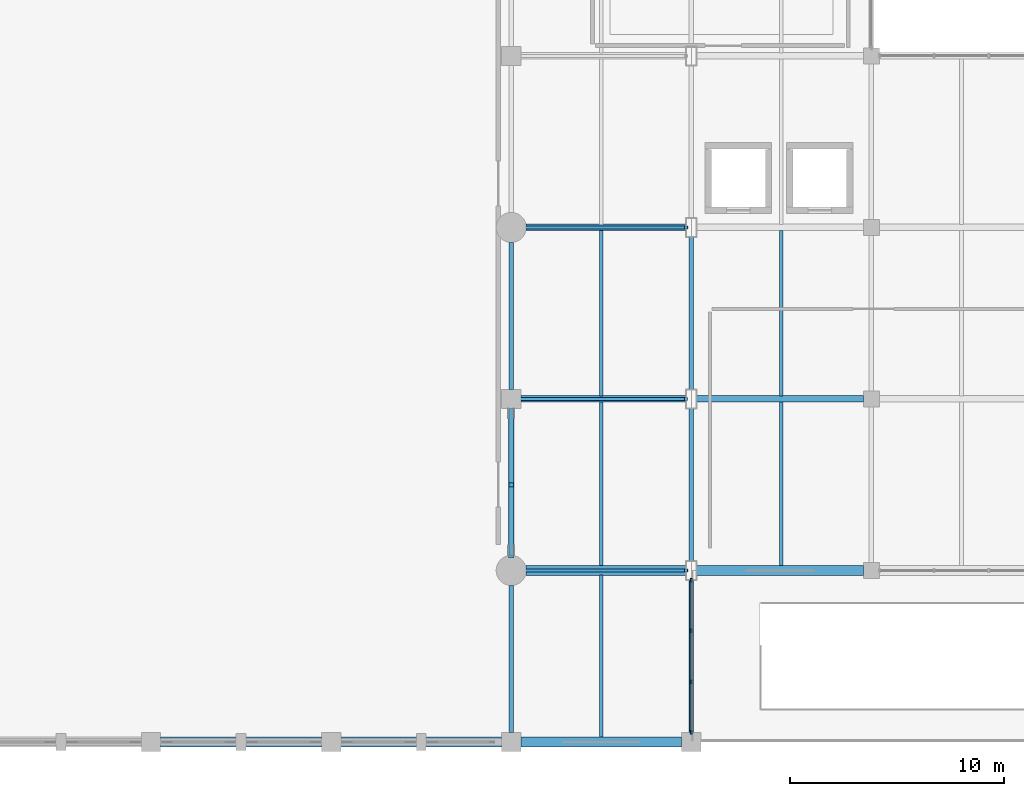
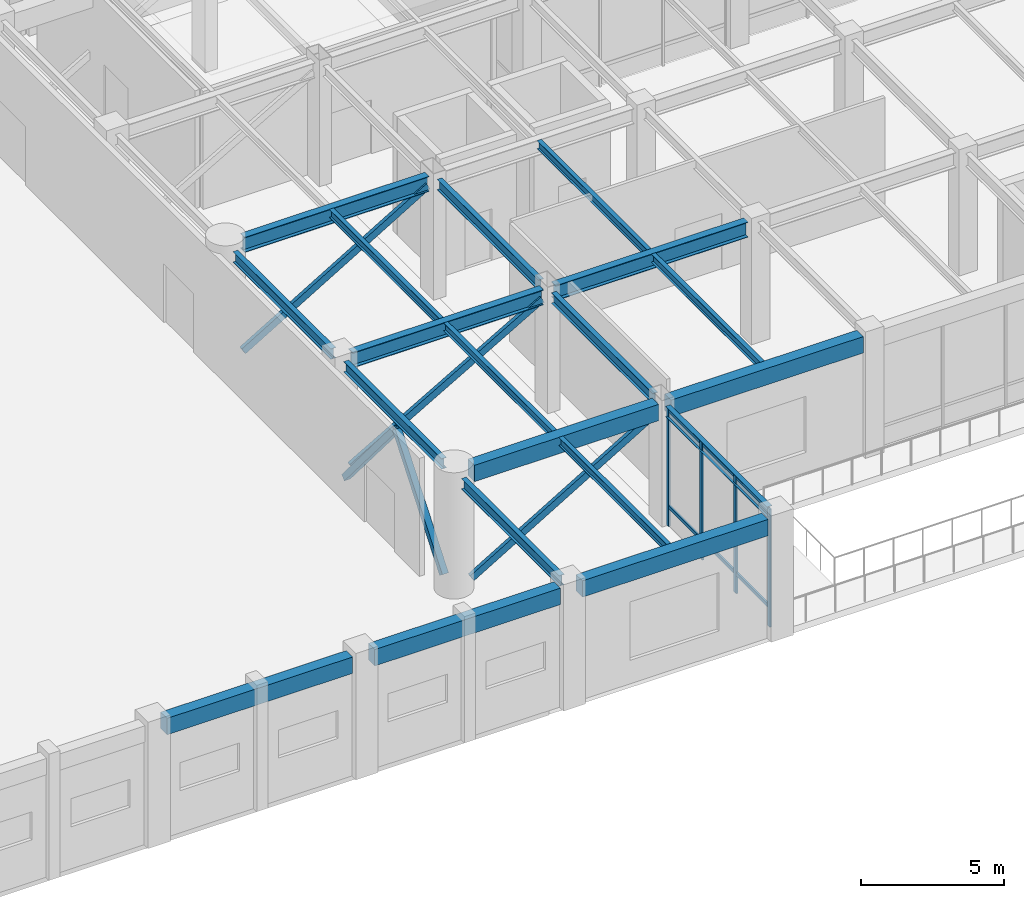
# One storey, part 19 of 79: 19 beams, 15 members, 1 element without a shape of its own.
"""IFC4 building model written with IfcOpenShell, lengths in metres."""

import ifcopenshell
import ifcopenshell.guid

model = None  # the IFC model being written
_history = None  # IfcOwnerHistory: only IFC2X3 demands one
_inside = {}  # id of a spatial element -> (the spatial element, [elements in it])
_under = {}  # id of a project, library or spatial element -> (it, [spatial elements below it])
_declared = {}  # id of a project -> (the project, [libraries it declares])
_typed = {}  # id of a type object -> (the type object, [elements of that type])
_made_of = {}  # id of a material, layer set ... -> (it, [elements and type objects made of it])


def new_model(schema):
    """Start an empty IFC model of exactly this schema.

    Asked for "IFC4X3", IfcOpenShell would pick the latest addendum, in which some entities
    have other attributes; the version numbers below select the first issue.
    IFC2X3 requires an IfcOwnerHistory on every rooted entity: one is made here for all.
    """
    global model, _history
    if schema == "IFC4X3":
        model = ifcopenshell.file(schema_version=(4, 3, 0, 0))
    else:
        model = ifcopenshell.file(schema=schema)
    _inside.clear()
    _under.clear()
    _declared.clear()
    _typed.clear()
    _made_of.clear()
    _history = None
    if model.schema == "IFC2X3":
        org = make("IfcOrganization", Name="unknown")
        user = make(
            "IfcPersonAndOrganization",
            ThePerson=make("IfcPerson", FamilyName="unknown"),
            TheOrganization=org,
        )
        app = make(
            "IfcApplication",
            ApplicationDeveloper=org,
            Version="unknown",
            ApplicationFullName="unknown",
            ApplicationIdentifier="unknown",
        )
        _history = make(
            "IfcOwnerHistory",
            OwningUser=user,
            OwningApplication=app,
            ChangeAction="ADDED",
            CreationDate=0,
        )
    return model


def make(cls, **values):
    """One entity of the class cls with the attributes given. An attribute that is None is left unset."""
    return model.create_entity(
        cls, **{name: value for name, value in values.items() if value is not None}
    )


def rooted(cls, **values):
    """An entity with a GlobalId (a new one), such as an element, a storey or a relation."""
    return make(cls, GlobalId=ifcopenshell.guid.new(), OwnerHistory=_history, **values)


def si_unit(unit_type, name, prefix=None):
    """IfcSIUnit, for example si_unit("LENGTHUNIT", "METRE", prefix="MILLI")."""
    return make("IfcSIUnit", UnitType=unit_type, Prefix=prefix, Name=name)


def assignment(units):
    """IfcUnitAssignment: the units of a project."""
    return None if units is None else make("IfcUnitAssignment", Units=units)


def point(xyz):
    """IfcCartesianPoint."""
    return None if xyz is None else make("IfcCartesianPoint", Coordinates=xyz)


def direction(xyz):
    """IfcDirection."""
    return None if xyz is None else make("IfcDirection", DirectionRatios=xyz)


def frame(location, z_axis=None, x_axis=None):
    """IfcAxis2Placement3D, a coordinate frame: its origin and axes. An axis left out is left unset."""
    return make(
        "IfcAxis2Placement3D",
        Location=point(location),
        Axis=direction(z_axis),
        RefDirection=direction(x_axis),
    )


def frame_2d(location, x_axis=None):
    """IfcAxis2Placement2D, a coordinate frame in the plane: its origin and x axis."""
    return make(
        "IfcAxis2Placement2D", Location=point(location), RefDirection=direction(x_axis)
    )


def origin():
    """The frame at (0, 0, 0) with its axes left unset."""
    return frame((0.0, 0.0, 0.0))


def origin_2d():
    """The frame at (0, 0) in the plane with its x axis left unset."""
    return frame_2d((0.0, 0.0))


def place(relative_to, where):
    """IfcLocalPlacement: puts the frame where relative to a parent placement (None: the world)."""
    return make(
        "IfcLocalPlacement", PlacementRelTo=relative_to, RelativePlacement=where
    )


def context(
    kind, dimensions, precision=None, world=None, true_north=None, identifier=None
):
    """IfcGeometricRepresentationContext, for example the 3D "Model" context."""
    return make(
        "IfcGeometricRepresentationContext",
        ContextIdentifier=identifier,
        ContextType=kind,
        CoordinateSpaceDimension=dimensions,
        Precision=precision,
        WorldCoordinateSystem=world,
        TrueNorth=true_north,
    )


def subcontext(parent, identifier, kind, view, scale=None):
    """IfcGeometricRepresentationSubContext, for example "Body" below "Model"."""
    return make(
        "IfcGeometricRepresentationSubContext",
        ContextIdentifier=identifier,
        ContextType=kind,
        ParentContext=parent,
        TargetScale=scale,
        TargetView=view,
    )


def project(units=None, contexts=None):
    """IfcProject with its units and contexts."""
    return rooted(
        "IfcProject",
        Name="project",
        RepresentationContexts=contexts,
        UnitsInContext=assignment(units),
    )


def spatial(cls, under=None, at=None, **own):
    """A site, building, storey or space (cls), placed at a placement, below another one or the project."""
    s = rooted(cls, ObjectPlacement=at, **own)
    if under is not None:
        _under.setdefault(under.id(), (under, []))[1].append(s)
    return s


def profile(cls, at=None, kind="AREA", **sizes):
    """A parametric profile (cls). Its sizes go by their IFC names, for example OverallWidth=200.0."""
    return make(cls, ProfileType=kind, Position=at, **sizes)


def rectangle(**sizes):
    """IfcRectangleProfileDef."""
    return profile("IfcRectangleProfileDef", **sizes)


def hollow_rectangle(**sizes):
    """IfcRectangleHollowProfileDef."""
    return profile("IfcRectangleHollowProfileDef", **sizes)


def i_section(**sizes):
    """IfcIShapeProfileDef."""
    return profile("IfcIShapeProfileDef", **sizes)


def extrude(swept, where, along, depth):
    """IfcExtrudedAreaSolid: the profile swept, set in the frame where, extruded along a direction by depth."""
    return make(
        "IfcExtrudedAreaSolid",
        SweptArea=swept,
        Position=where,
        ExtrudedDirection=direction(along),
        Depth=depth,
    )


def shape(context_of_items, identifier, shape_type, items):
    """IfcShapeRepresentation: the items that make up one representation, for example the "Body"."""
    return make(
        "IfcShapeRepresentation",
        ContextOfItems=context_of_items,
        RepresentationIdentifier=identifier,
        RepresentationType=shape_type,
        Items=items,
    )


def material(Name=None, Category=None):
    """IfcMaterial."""
    return make("IfcMaterial", Name=Name, Category=Category)


def layer(
    of_material, thickness, ventilated=None, Name=None, Category=None, Priority=None
):
    """IfcMaterialLayer: one layer of a wall or slab, of a material (None: an air gap)."""
    return make(
        "IfcMaterialLayer",
        Material=of_material,
        LayerThickness=thickness,
        IsVentilated=ventilated,
        Name=Name,
        Category=Category,
        Priority=Priority,
    )


def layer_set(layers, Name=None):
    """IfcMaterialLayerSet."""
    return make("IfcMaterialLayerSet", MaterialLayers=layers, LayerSetName=Name)


def material_profile(
    of_material, cross_section, Name=None, Category=None, Priority=None
):
    """IfcMaterialProfile: a cross section and its material."""
    return make(
        "IfcMaterialProfile",
        Name=Name,
        Material=of_material,
        Profile=cross_section,
        Priority=Priority,
        Category=Category,
    )


def profile_set(profiles, Name=None, composite=None):
    """IfcMaterialProfileSet."""
    return make(
        "IfcMaterialProfileSet",
        Name=Name,
        MaterialProfiles=profiles,
        CompositeProfile=composite,
    )


def made_of(thing, what):
    """Note that an element or type object is made of a material, layer set ...; save() writes the relation."""
    if what is not None:
        _made_of.setdefault(what.id(), (what, []))[1].append(thing)
    return thing


def type_object(cls, material=None, **own):
    """A type object (cls), such as IfcWallType, which elements share."""
    return made_of(rooted(cls, **own), material)


def element(
    cls,
    number,
    at=None,
    inside=None,
    cuts=None,
    type_object=None,
    material=None,
    context=None,
    identifier="Body",
    shape_type=None,
    held_by="IfcProductDefinitionShape",
    body=None,
    shapes=None,
    **own,
):
    """One element of the class cls, such as IfcWall. Its Tag is "e" and its number.

    at: its placement. inside: the storey or other place that contains it. cuts: it is an
    opening in that element (IfcRelVoidsElement). A single representation is given by context,
    identifier, shape_type and body (its items); several are given by shapes. held_by: the class
    of the entity that holds the representations. save() writes the other relations.
    """
    e = rooted(cls, Tag="e%d" % number, ObjectPlacement=at, **own)
    if body is not None:
        shapes = [shape(context, identifier, shape_type, body)]
    if shapes is not None:
        e.Representation = make(held_by, Representations=shapes)
    if inside is not None:
        _inside.setdefault(inside.id(), (inside, []))[1].append(e)
    if cuts is not None:
        rooted(
            "IfcRelVoidsElement", RelatingBuildingElement=cuts, RelatedOpeningElement=e
        )
    if type_object is not None:
        _typed.setdefault(type_object.id(), (type_object, []))[1].append(e)
    return made_of(e, material)


def aggregate(whole, parts):
    """IfcRelAggregates: a whole, such as a stair, and the parts it consists of."""
    return rooted("IfcRelAggregates", RelatingObject=whole, RelatedObjects=parts)


def save(model, path):
    """Write the relations noted so far, then the file.

    IfcRelAggregates (storeys below a building ...), IfcRelContainedInSpatialStructure (elements
    in a storey), IfcRelDefinesByType, IfcRelAssociatesMaterial and IfcRelDeclares: one each for
    every whole, place, type object, material and project.
    """
    for whole, parts in _under.values():
        aggregate(whole, parts)
    for where, things in _inside.values():
        rooted(
            "IfcRelContainedInSpatialStructure",
            RelatedElements=things,
            RelatingStructure=where,
        )
    for kind, things in _typed.values():
        rooted("IfcRelDefinesByType", RelatedObjects=things, RelatingType=kind)
    for what, things in _made_of.values():
        rooted("IfcRelAssociatesMaterial", RelatedObjects=things, RelatingMaterial=what)
    for by, libraries in _declared.values():
        rooted("IfcRelDeclares", RelatingContext=by, RelatedDefinitions=libraries)
    model.write(path)


model = new_model("IFC4")

# Units and contexts
model_context = context("Model", 3, precision=1e-05, world=origin(), true_north=direction((0.0, 1.0)))
body_context = subcontext(model_context, "Body", "Model", "MODEL_VIEW")
ifc_project = project(units=[si_unit("LENGTHUNIT", "METRE"), si_unit("AREAUNIT", "SQUARE_METRE"), si_unit("VOLUMEUNIT", "CUBIC_METRE"), si_unit("PLANEANGLEUNIT", "RADIAN"), si_unit("MASSUNIT", "GRAM", prefix="KILO")], contexts=[model_context])

# Site, building, storey
site_placement = place(None, origin())
site = spatial("IfcSite", under=ifc_project, at=site_placement, CompositionType="ELEMENT")
building_placement = place(site_placement, origin())
building = spatial("IfcBuilding", under=site, at=building_placement, Name="Naruveol Harbour Congress Hotel", CompositionType="ELEMENT")
storey_placement = place(building_placement, frame((0.0, 0.0, 6.0)))
storey = spatial("IfcBuildingStorey", under=building, at=storey_placement, Name="L01", CompositionType="ELEMENT", Elevation=6.0)

# Beams
ifc_material_1 = material(Name="Concrete C40/50", Category="concrete")
ifc_material_profile_1 = material_profile(ifc_material_1, rectangle(XDim=0.449951171875, YDim=0.699951171875, at=origin_2d()), Name="RCB-450x700")
ifc_profile_set_1 = profile_set([ifc_material_profile_1], Name="Concrete C40/50")
beam_type_1 = type_object("IfcBeamType", Name="RC SPANDREL BEAM 450X700", PredefinedType="SPANDREL", material=ifc_profile_set_1)
for number, where, z_axis, x_axis, name in (
    (1, (34.0458984375, 0.0, 4.77001953125), (1.0, 0.0, 0.0), (0.0, 1.0, 0.0), "Floor girder L02 SPB1"),
    (2, (42.446044921875, 0.0, 4.77001953125), (1.0, 0.0, 0.0), (0.0, 1.0, 0.0), "Floor girder L02 SPB1"),
    (3, (50.845947265625, 0.0, 4.77001953125), (1.0, 0.0, 0.0), (0.0, 1.0, 0.0), "Floor girder L02 SPB1"),
):
    element("IfcBeam", number, at=place(storey_placement, frame(where, z_axis=z_axis, x_axis=x_axis)), inside=storey, type_object=beam_type_1, Name=name, PredefinedType="SPANDREL", context=body_context, shape_type="SweptSolid", body=[
        extrude(rectangle(XDim=0.449951171875, YDim=0.699951171875, at=origin_2d()), origin(), (0.0, 0.0, 1.0), 7.508056640625),
    ])
beam_1_placement = place(storey_placement, frame((51.095947265625, 8.0, 4.77001953125), z_axis=(1.0, 0.0, 0.0), x_axis=(0.0, 1.0, 0.0)))
element("IfcBeam", 4, at=beam_1_placement, inside=storey, type_object=beam_type_1, Name="Floor girder L02 SPB1", PredefinedType="SPANDREL", context=body_context, shape_type="SweptSolid", body=[
    extrude(rectangle(XDim=0.449951171875, YDim=0.699951171875, at=origin_2d()), origin(), (0.0, 0.0, 1.0), 7.4580078125),
])
beam_2_placement = place(storey_placement, frame((59.0458984375, 8.0, 4.77001953125), z_axis=(1.0, 0.0, 0.0), x_axis=(0.0, 1.0, 0.0)))
element("IfcBeam", 5, at=beam_2_placement, inside=storey, type_object=beam_type_1, Name="Floor girder L02 SPB1", PredefinedType="SPANDREL", context=body_context, shape_type="SweptSolid", body=[
    extrude(rectangle(XDim=0.449951171875, YDim=0.699951171875, at=origin_2d()), origin(), (0.0, 0.0, 1.0), 7.783203125),
])
ifc_material_2 = material(Name="Steel SN490", Category="steel")
ifc_material_profile_2 = material_profile(ifc_material_2, i_section(OverallWidth=0.300048828125, OverallDepth=0.64990234375, WebThickness=0.012939453125, FlangeThickness=0.02392578125, at=origin_2d()), Name="H-650x300x13x24")
ifc_profile_set_2 = profile_set([ifc_material_profile_2], Name="Steel SN490")
beam_type_2 = type_object("IfcBeamType", Name="STEEL ATRIUM TIE GIRDER H650", PredefinedType="BEAM", material=ifc_profile_set_2)
beam_3_placement = place(storey_placement, frame((50.845947265625, 16.0, 4.794921875), z_axis=(1.0, 0.0, 0.0), x_axis=(0.0, 1.0, 0.0)))
element("IfcBeam", 6, at=beam_3_placement, inside=storey, type_object=beam_type_2, Name="Floor girder L02 SG2", PredefinedType="BEAM", context=body_context, shape_type="SweptSolid", body=[
    extrude(i_section(OverallWidth=0.300048828125, OverallDepth=0.64990234375, WebThickness=0.012939453125, FlangeThickness=0.02392578125, at=origin_2d()), origin(), (0.0, 0.0, 1.0), 7.7080078125),
])
beam_4_placement = place(storey_placement, frame((59.0458984375, 16.0, 4.794921875), z_axis=(1.0, 0.0, 0.0), x_axis=(0.0, 1.0, 0.0)))
element("IfcBeam", 7, at=beam_4_placement, inside=storey, type_object=beam_type_2, Name="Floor girder L02 SG2", PredefinedType="BEAM", context=body_context, shape_type="SweptSolid", body=[
    extrude(i_section(OverallWidth=0.300048828125, OverallDepth=0.64990234375, WebThickness=0.012939453125, FlangeThickness=0.02392578125, at=origin_2d()), origin(), (0.0, 0.0, 1.0), 7.783203125),
])
beam_5_placement = place(storey_placement, frame((51.095947265625, 24.0, 4.794921875), z_axis=(1.0, 0.0, 0.0), x_axis=(0.0, 1.0, 0.0)))
element("IfcBeam", 8, at=beam_5_placement, inside=storey, type_object=beam_type_2, Name="Floor girder L02 SG2", PredefinedType="BEAM", context=body_context, shape_type="SweptSolid", body=[
    extrude(i_section(OverallWidth=0.300048828125, OverallDepth=0.64990234375, WebThickness=0.012939453125, FlangeThickness=0.02392578125, at=origin_2d()), origin(), (0.0, 0.0, 1.0), 7.4580078125),
])

# Members
ifc_material_3 = material(Name="Steel SN490", Category="steel")
ifc_material_profile_3 = material_profile(ifc_material_3, hollow_rectangle(XDim=0.14990234375, YDim=0.300048828125, WallThickness=0.010009765625, at=origin_2d()), Name="RHS-300x150x10")
ifc_profile_set_3 = profile_set([ifc_material_profile_3], Name="Steel SN490")
member_type_1 = type_object("IfcMemberType", Name="STEEL FACADE WIND STRUT RHS300", PredefinedType="STRUT", material=ifc_profile_set_3)
member_1_placement = place(storey_placement, frame((51.090087890625, 8.0, 0.199951171875), z_axis=(0.859113889511, 0.0, 0.511784451551), x_axis=(0.0, 1.0, 0.0)))
element("IfcMember", 9, at=member_1_placement, inside=storey, type_object=member_type_1, Name="Congress foyer wind strut Y=8.0", PredefinedType="STRUT", context=body_context, shape_type="SweptSolid", body=[
    extrude(hollow_rectangle(XDim=0.14990234375, YDim=0.300048828125, WallThickness=0.010009765625, at=origin_2d()), origin(), (0.0, 0.0, 1.0), 8.695068359375),
])
member_2_placement = place(storey_placement, frame((50.840087890625, 16.0, 0.199951171875), z_axis=(0.866373909485, 0.0, 0.499395884007), x_axis=(0.0, 1.0, 0.0)))
element("IfcMember", 10, at=member_2_placement, inside=storey, type_object=member_type_1, Name="Congress foyer wind strut Y=16.0", PredefinedType="STRUT", context=body_context, shape_type="SweptSolid", body=[
    extrude(hollow_rectangle(XDim=0.14990234375, YDim=0.300048828125, WallThickness=0.010009765625, at=origin_2d()), origin(), (0.0, 0.0, 1.0), 8.91064453125),
])
member_3_placement = place(storey_placement, frame((51.090087890625, 24.0, 0.199951171875), z_axis=(0.859113889511, 0.0, 0.511784451551), x_axis=(0.0, 1.0, 0.0)))
element("IfcMember", 11, at=member_3_placement, inside=storey, type_object=member_type_1, Name="Congress foyer wind strut Y=24.0", PredefinedType="STRUT", context=body_context, shape_type="SweptSolid", body=[
    extrude(hollow_rectangle(XDim=0.14990234375, YDim=0.300048828125, WallThickness=0.010009765625, at=origin_2d()), origin(), (0.0, 0.0, 1.0), 8.695068359375),
])
ifc_material_4 = material(Name="Steel SN490", Category="steel")
ifc_material_profile_4 = material_profile(ifc_material_4, hollow_rectangle(XDim=0.25, YDim=0.25, WallThickness=0.011962890625, at=origin_2d()), Name="SHS-250x250x12")
ifc_profile_set_4 = profile_set([ifc_material_profile_4], Name="Steel SN490")
member_type_2 = type_object("IfcMemberType", Name="STEEL LATERAL FRAME BRACE SHS250", PredefinedType="BRACE", material=ifc_profile_set_4)
member_4_placement = place(storey_placement, frame((50.39990234375, 8.68994140625, 0.159912109375), z_axis=(0.0, 0.618057076641, 0.786133226632), x_axis=(-1.0, 0.0, 0.0)))
element("IfcMember", 12, at=member_4_placement, inside=storey, type_object=member_type_2, Name="Lateral chevron brace L01 #11A", PredefinedType="BRACE", context=body_context, shape_type="SweptSolid", body=[
    extrude(hollow_rectangle(XDim=0.25, YDim=0.25, WallThickness=0.011962890625, at=origin_2d()), origin(), (0.0, 0.0, 1.0), 5.35546875),
])
member_5_placement = place(storey_placement, frame((50.39990234375, 15.56005859375, 0.159912109375), z_axis=(0.0, -0.645686146486, 0.76360290743), x_axis=(1.0, 0.0, 0.0)))
element("IfcMember", 13, at=member_5_placement, inside=storey, type_object=member_type_2, Name="Lateral chevron brace L01 #11B", PredefinedType="BRACE", context=body_context, shape_type="SweptSolid", body=[
    extrude(hollow_rectangle(XDim=0.25, YDim=0.25, WallThickness=0.011962890625, at=origin_2d()), origin(), (0.0, 0.0, 1.0), 5.513671875),
])

# Beams
ifc_material_5 = material(Name="Steel SN490", Category="steel")
ifc_material_profile_5 = material_profile(ifc_material_5, i_section(OverallWidth=0.175048828125, OverallDepth=0.35009765625, WebThickness=0.007080078125, FlangeThickness=0.010986328125, at=origin_2d()), Name="H-350x175x7x11")
ifc_profile_set_5 = profile_set([ifc_material_profile_5], Name="Steel SN490")
beam_type_3 = type_object("IfcBeamType", Name="STEEL SECONDARY JOIST H350", PredefinedType="JOIST", material=ifc_profile_set_5)
beam_6_placement = place(storey_placement, frame((54.60009765625, 0.220947265625, 4.945068359375), z_axis=(0.0, 1.0, 0.0), x_axis=(-1.0, 0.0, 0.0)))
element("IfcBeam", 14, at=beam_6_placement, inside=storey, type_object=beam_type_3, Name="Secondary floor joist L02 SJ2", PredefinedType="JOIST", context=body_context, shape_type="SweptSolid", body=[
    extrude(i_section(OverallWidth=0.175048828125, OverallDepth=0.35009765625, WebThickness=0.007080078125, FlangeThickness=0.010986328125, at=origin_2d()), origin(), (0.0, 0.0, 1.0), 7.55810546875),
])
for number, where, z_axis, x_axis, name in (
    (15, (54.60009765625, 8.220947265625, 4.945068359375), (0.0, 1.0, 0.0), (-1.0, 0.0, 0.0), "Secondary floor joist L02 SJ2"),
    (16, (63.0, 8.220947265625, 4.945068359375), (0.0, 1.0, 0.0), (-1.0, 0.0, 0.0), "Secondary floor joist L02 SJ2"),
):
    element("IfcBeam", number, at=place(storey_placement, frame(where, z_axis=z_axis, x_axis=x_axis)), inside=storey, type_object=beam_type_3, Name=name, PredefinedType="JOIST", context=body_context, shape_type="SweptSolid", body=[
        extrude(i_section(OverallWidth=0.175048828125, OverallDepth=0.35009765625, WebThickness=0.007080078125, FlangeThickness=0.010986328125, at=origin_2d()), origin(), (0.0, 0.0, 1.0), 7.633056640625),
    ])
for number, where, z_axis, x_axis, name in (
    (17, (54.60009765625, 16.14599609375, 4.945068359375), (0.0, 1.0, 0.0), (-1.0, 0.0, 0.0), "Secondary floor joist L02 SJ2"),
    (18, (63.0, 16.14599609375, 4.945068359375), (0.0, 1.0, 0.0), (-1.0, 0.0, 0.0), "Secondary floor joist L02 SJ2"),
):
    element("IfcBeam", number, at=place(storey_placement, frame(where, z_axis=z_axis, x_axis=x_axis)), inside=storey, type_object=beam_type_3, Name=name, PredefinedType="JOIST", context=body_context, shape_type="SweptSolid", body=[
        extrude(i_section(OverallWidth=0.175048828125, OverallDepth=0.35009765625, WebThickness=0.007080078125, FlangeThickness=0.010986328125, at=origin_2d()), origin(), (0.0, 0.0, 1.0), 7.7080078125),
    ])
ifc_material_6 = material(Name="Steel SN490", Category="steel")
ifc_material_profile_6 = material_profile(ifc_material_6, i_section(OverallWidth=0.199951171875, OverallDepth=0.449951171875, WebThickness=0.009033203125, FlangeThickness=0.013916015625, at=origin_2d()), Name="H-450x200x9x14")
ifc_profile_set_6 = profile_set([ifc_material_profile_6], Name="Steel SN490")
beam_type_4 = type_object("IfcBeamType", Name="STEEL SPANDREL EDGE BEAM H450", PredefinedType="SPANDREL", material=ifc_profile_set_6)
for number, where, z_axis, x_axis, name in (
    (19, (50.39990234375, 0.446044921875, 4.89501953125), (0.0, 1.0, 0.0), (-1.0, 0.0, 0.0), "Transverse girder L02 SPB2"),
    (20, (50.39990234375, 8.696044921875, 4.89501953125), (0.0, 1.0, 0.0), (-1.0, 0.0, 0.0), "Transverse girder L02 SPB2"),
    (21, (50.39990234375, 16.446044921875, 4.89501953125), (0.0, 1.0, 0.0), (-1.0, 0.0, 0.0), "Transverse girder L02 SPB2"),
):
    element("IfcBeam", number, at=place(storey_placement, frame(where, z_axis=z_axis, x_axis=x_axis)), inside=storey, type_object=beam_type_4, Name=name, PredefinedType="SPANDREL", context=body_context, shape_type="SweptSolid", body=[
        extrude(i_section(OverallWidth=0.199951171875, OverallDepth=0.449951171875, WebThickness=0.009033203125, FlangeThickness=0.013916015625, at=origin_2d()), origin(), (0.0, 0.0, 1.0), 6.85791015625),
    ])
for number, where, z_axis, x_axis, name in (
    (22, (58.800048828125, 0.446044921875, 4.89501953125), (0.0, 1.0, 0.0), (-1.0, 0.0, 0.0), "Transverse girder L02 SPB2"),
    (23, (58.800048828125, 8.446044921875, 4.89501953125), (0.0, 1.0, 0.0), (-1.0, 0.0, 0.0), "Transverse girder L02 SPB2"),
    (24, (58.800048828125, 16.446044921875, 4.89501953125), (0.0, 1.0, 0.0), (-1.0, 0.0, 0.0), "Transverse girder L02 SPB2"),
):
    element("IfcBeam", number, at=place(storey_placement, frame(where, z_axis=z_axis, x_axis=x_axis)), inside=storey, type_object=beam_type_4, Name=name, PredefinedType="SPANDREL", context=body_context, shape_type="SweptSolid", body=[
        extrude(i_section(OverallWidth=0.199951171875, OverallDepth=0.449951171875, WebThickness=0.009033203125, FlangeThickness=0.013916015625, at=origin_2d()), origin(), (0.0, 0.0, 1.0), 7.10791015625),
    ])

# Curtain wall, members
ifc_material_7 = material(Name="Low-E Curtain Wall System", Category="glass")
ifc_layer = layer(ifc_material_7, 0.179931640625)
ifc_layer_set = layer_set([ifc_layer], Name="Low-E Curtain Wall System")
curtain_wall_type = type_object("IfcCurtainWallType", Name="UNITISED CURTAIN WALL CW-V1F-03 7100X5050", PredefinedType="USERDEFINED", material=ifc_layer_set)
curtain_wall_placement = place(storey_placement, origin())
curtain_wall = element("IfcCurtainWall", 25, at=curtain_wall_placement, inside=storey, type_object=curtain_wall_type, Name="Unitised curtain wall CW-V1F-03 L01", ObjectType="UNITISED GLAZING", PredefinedType="USERDEFINED")
ifc_material_8 = material(Name="Anodised Aluminium 6063-T6", Category="aluminium")
ifc_material_profile_7 = material_profile(ifc_material_8, rectangle(XDim=0.074951171875, YDim=0.179931640625, at=origin_2d()), Name="ALU-75x180")
ifc_profile_set_7 = profile_set([ifc_material_profile_7], Name="Anodised Aluminium 6063-T6")
member_type_3 = type_object("IfcMemberType", Name="THERMAL ALUMINIUM MULLION 75X180", PredefinedType="MULLION", material=ifc_profile_set_7)
member_6_placement = place(storey_placement, frame((58.800048828125, 7.550048828125, 0.0), z_axis=(0.0, 0.0, 1.0), x_axis=(1.0, 0.0, 0.0)))
member_6 = element("IfcMember", 26, at=member_6_placement, type_object=member_type_3, Name="Curtain wall mullion CW-L01-0003-M0", PredefinedType="MULLION", context=body_context, shape_type="SweptSolid", body=[
    extrude(rectangle(XDim=0.074951171875, YDim=0.179931640625, at=origin_2d()), origin(), (0.0, 0.0, 1.0), 5.050048828125),
])
member_7_placement = place(storey_placement, frame((58.800048828125, 5.183349609375, 0.0), z_axis=(0.0, 0.0, 1.0), x_axis=(1.0, 0.0, 0.0)))
member_7 = element("IfcMember", 27, at=member_7_placement, type_object=member_type_3, Name="Curtain wall mullion CW-L01-0003-M1", PredefinedType="MULLION", context=body_context, shape_type="SweptSolid", body=[
    extrude(rectangle(XDim=0.074951171875, YDim=0.179931640625, at=origin_2d()), origin(), (0.0, 0.0, 1.0), 5.050048828125),
])
member_8_placement = place(storey_placement, frame((58.800048828125, 2.816650390625, 0.0), z_axis=(0.0, 0.0, 1.0), x_axis=(1.0, 0.0, 0.0)))
member_8 = element("IfcMember", 28, at=member_8_placement, type_object=member_type_3, Name="Curtain wall mullion CW-L01-0003-M2", PredefinedType="MULLION", context=body_context, shape_type="SweptSolid", body=[
    extrude(rectangle(XDim=0.074951171875, YDim=0.179931640625, at=origin_2d()), origin(), (0.0, 0.0, 1.0), 5.050048828125),
])
member_9_placement = place(storey_placement, frame((58.800048828125, 0.449951171875, 0.0), z_axis=(0.0, 0.0, 1.0), x_axis=(1.0, 0.0, 0.0)))
member_9 = element("IfcMember", 29, at=member_9_placement, type_object=member_type_3, Name="Curtain wall mullion CW-L01-0003-M3", PredefinedType="MULLION", context=body_context, shape_type="SweptSolid", body=[
    extrude(rectangle(XDim=0.074951171875, YDim=0.179931640625, at=origin_2d()), origin(), (0.0, 0.0, 1.0), 5.050048828125),
])
ifc_material_9 = material(Name="Anodised Aluminium 6063-T6", Category="aluminium")
ifc_material_profile_8 = material_profile(ifc_material_9, rectangle(XDim=0.074951171875, YDim=0.14990234375, at=origin_2d()), Name="ALU-75x150")
ifc_profile_set_8 = profile_set([ifc_material_profile_8], Name="Anodised Aluminium 6063-T6")
member_type_4 = type_object("IfcMemberType", Name="THERMAL ALUMINIUM TRANSOM 75X150", PredefinedType="USERDEFINED", material=ifc_profile_set_8)
member_10_placement = place(storey_placement, frame((58.800048828125, 7.510009765625, 0.85009765625), z_axis=(0.0, -1.0, 0.0), x_axis=(1.0, 0.0, 0.0)))
member_10 = element("IfcMember", 30, at=member_10_placement, type_object=member_type_4, Name="Curtain wall transom CW-L01-0003-T0.1", ObjectType="TRANSOM", PredefinedType="USERDEFINED", context=body_context, shape_type="SweptSolid", body=[
    extrude(rectangle(XDim=0.074951171875, YDim=0.14990234375, at=origin_2d()), origin(), (0.0, 0.0, 1.0), 2.28662109375),
])
member_11_placement = place(storey_placement, frame((58.800048828125, 7.510009765625, 4.969970703125), z_axis=(0.0, -1.0, 0.0), x_axis=(1.0, 0.0, 0.0)))
member_11 = element("IfcMember", 31, at=member_11_placement, type_object=member_type_4, Name="Curtain wall transom CW-L01-0003-T0.2", ObjectType="TRANSOM", PredefinedType="USERDEFINED", context=body_context, shape_type="SweptSolid", body=[
    extrude(rectangle(XDim=0.074951171875, YDim=0.14990234375, at=origin_2d()), origin(), (0.0, 0.0, 1.0), 2.28662109375),
])
member_12_placement = place(storey_placement, frame((58.800048828125, 5.143310546875, 0.85009765625), z_axis=(0.0, -1.0, 0.0), x_axis=(1.0, 0.0, 0.0)))
member_12 = element("IfcMember", 32, at=member_12_placement, type_object=member_type_4, Name="Curtain wall transom CW-L01-0003-T1.1", ObjectType="TRANSOM", PredefinedType="USERDEFINED", context=body_context, shape_type="SweptSolid", body=[
    extrude(rectangle(XDim=0.074951171875, YDim=0.14990234375, at=origin_2d()), origin(), (0.0, 0.0, 1.0), 2.28662109375),
])
member_13_placement = place(storey_placement, frame((58.800048828125, 5.143310546875, 4.969970703125), z_axis=(0.0, -1.0, 0.0), x_axis=(1.0, 0.0, 0.0)))
member_13 = element("IfcMember", 33, at=member_13_placement, type_object=member_type_4, Name="Curtain wall transom CW-L01-0003-T1.2", ObjectType="TRANSOM", PredefinedType="USERDEFINED", context=body_context, shape_type="SweptSolid", body=[
    extrude(rectangle(XDim=0.074951171875, YDim=0.14990234375, at=origin_2d()), origin(), (0.0, 0.0, 1.0), 2.28662109375),
])
member_14_placement = place(storey_placement, frame((58.800048828125, 2.776611328125, 0.85009765625), z_axis=(0.0, -1.0, 0.0), x_axis=(1.0, 0.0, 0.0)))
member_14 = element("IfcMember", 34, at=member_14_placement, type_object=member_type_4, Name="Curtain wall transom CW-L01-0003-T2.1", ObjectType="TRANSOM", PredefinedType="USERDEFINED", context=body_context, shape_type="SweptSolid", body=[
    extrude(rectangle(XDim=0.074951171875, YDim=0.14990234375, at=origin_2d()), origin(), (0.0, 0.0, 1.0), 2.28662109375),
])
member_15_placement = place(storey_placement, frame((58.800048828125, 2.776611328125, 4.969970703125), z_axis=(0.0, -1.0, 0.0), x_axis=(1.0, 0.0, 0.0)))
member_15 = element("IfcMember", 35, at=member_15_placement, type_object=member_type_4, Name="Curtain wall transom CW-L01-0003-T2.2", ObjectType="TRANSOM", PredefinedType="USERDEFINED", context=body_context, shape_type="SweptSolid", body=[
    extrude(rectangle(XDim=0.074951171875, YDim=0.14990234375, at=origin_2d()), origin(), (0.0, 0.0, 1.0), 2.28662109375),
])
aggregate(curtain_wall, [member_6, member_7, member_8, member_9, member_10, member_11, member_12, member_13, member_14, member_15])

save(model, "model.ifc")
